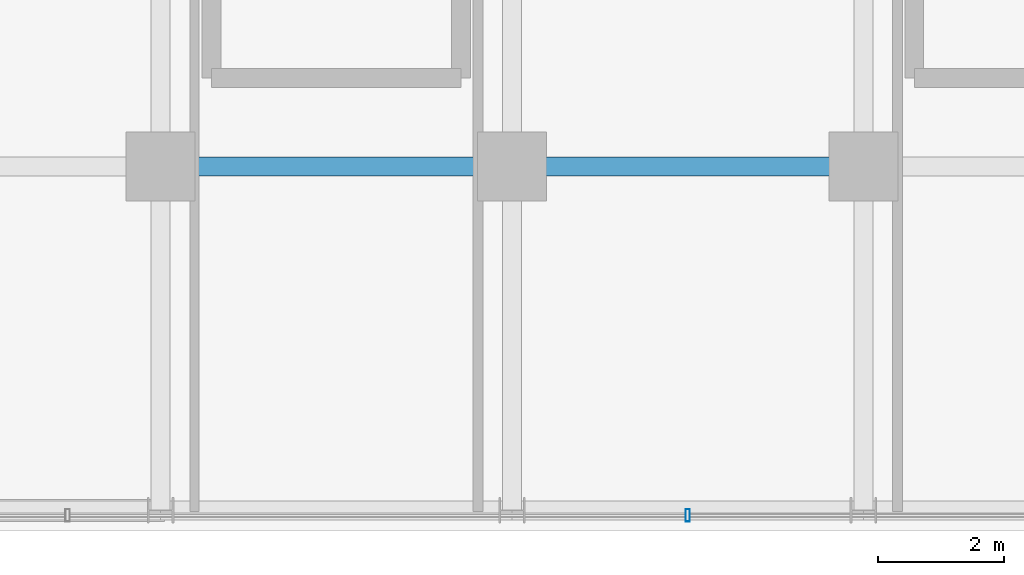
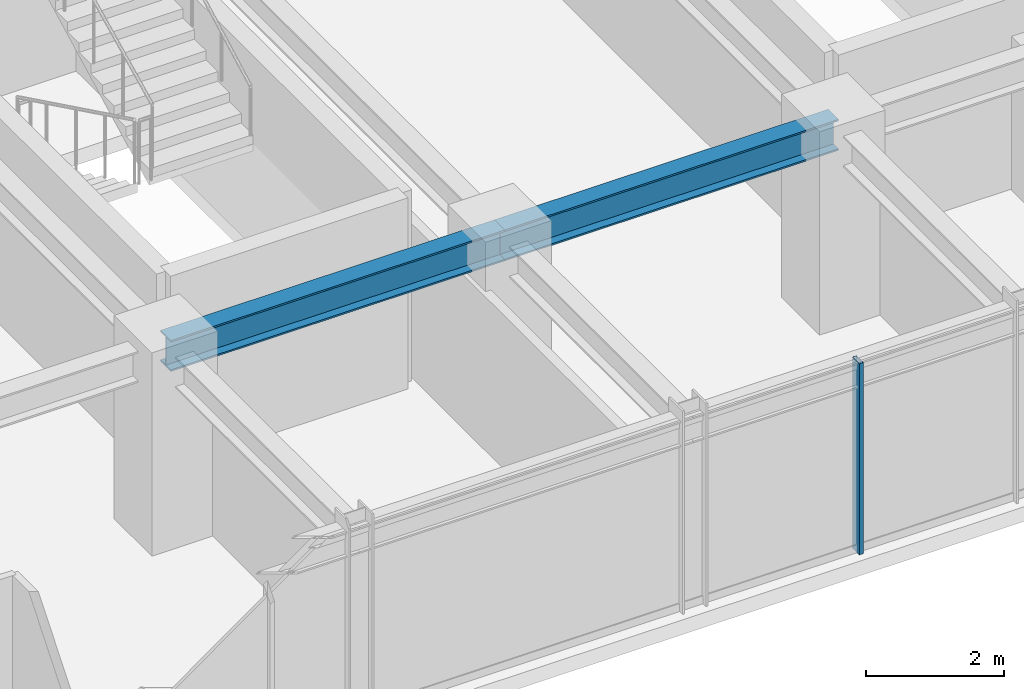
# One storey, part 6 of 41: 2 beams, 1 member, 1 element without a shape of its own.
"""IFC4 building model written with IfcOpenShell, lengths in metres."""

from ifc_helpers import new_model, si_unit, direction, frame, origin, origin_2d, place, context, subcontext, project, spatial, hollow_rectangle, i_section, extrude, source, transform, mapped, material, material_profile, profile_set, type_object, element, aggregate, save


model = new_model("IFC4")

# Units and contexts
model_context = context("Model", 3, precision=1e-05, world=origin(), true_north=direction((0.0, 1.0)))
body_context = subcontext(model_context, "Body", "Model", "MODEL_VIEW")
ifc_project = project(units=[si_unit("LENGTHUNIT", "METRE"), si_unit("AREAUNIT", "SQUARE_METRE"), si_unit("VOLUMEUNIT", "CUBIC_METRE"), si_unit("PLANEANGLEUNIT", "RADIAN"), si_unit("MASSUNIT", "GRAM", prefix="KILO")], contexts=[model_context])

# Site, building, storey
site_placement = place(None, origin())
site = spatial("IfcSite", under=ifc_project, at=site_placement, CompositionType="ELEMENT")
building_placement = place(site_placement, origin())
building = spatial("IfcBuilding", under=site, at=building_placement, Name="Nahalor Promenade Grand Hotel", CompositionType="ELEMENT")
storey_placement = place(building_placement, frame((0.0, 0.0, 159.949951171875)))
storey = spatial("IfcBuildingStorey", under=building, at=storey_placement, Name="L40", CompositionType="ELEMENT", Elevation=159.949951171875)

# Beams
ifc_material_1 = material(Name="Steel S355JR", Category="steel")
ifc_material_profile_1 = material_profile(ifc_material_1, i_section(OverallWidth=0.3, OverallDepth=0.55, WebThickness=0.015, FlangeThickness=0.029, at=origin_2d()), Name="HEB 550")
ifc_profile_set_1 = profile_set([ifc_material_profile_1], Name="Steel S355JR")
beam_type = type_object("IfcBeamType", Name="Beam-Girder-HEB550", PredefinedType="BEAM", material=ifc_profile_set_1)
shared_shape_1 = source(origin(), body_context, "Body", "SweptSolid", [
    extrude(i_section(OverallWidth=0.3, OverallDepth=0.55, WebThickness=0.015, FlangeThickness=0.029, at=origin_2d()), origin(), (0.0, 0.0, 1.0), 5.599853515625),
])
beam_1_placement = place(storey_placement, frame((-8.39990234375, -17.0, 3.114990234375), z_axis=(1.0, 0.0, 0.0), x_axis=(0.0, 1.0, 0.0)))
element("IfcBeam", 1, at=beam_1_placement, inside=storey, type_object=beam_type, Name="BM-L40-GX-0-2", PredefinedType="BEAM", context=body_context, shape_type="MappedRepresentation", body=[
    mapped(shared_shape_1, transform((0.0, 0.0, 0.0), scale=1.0)),
])
shared_shape_2 = source(origin(), body_context, "Body", "SweptSolid", [
    extrude(i_section(OverallWidth=0.3, OverallDepth=0.55, WebThickness=0.015, FlangeThickness=0.029, at=origin_2d()), origin(), (0.0, 0.0, 1.0), 5.60009765625),
])
beam_2_placement = place(storey_placement, frame((-2.800048828125, -17.0, 3.114990234375), z_axis=(1.0, 0.0, 0.0), x_axis=(0.0, 1.0, 0.0)))
element("IfcBeam", 2, at=beam_2_placement, inside=storey, type_object=beam_type, Name="BM-L40-GX-0-3", PredefinedType="BEAM", context=body_context, shape_type="MappedRepresentation", body=[
    mapped(shared_shape_2, transform((0.0, 0.0, 0.0), scale=1.0)),
])

# Curtain wall, member
ifc_material_2 = material(Name="Anodised Bronze Aluminium EN AW-6063 T6", Category="aluminium")
curtain_wall_type = type_object("IfcCurtainWallType", Name="CW3 Elliptical-Void Collar Unitised Curtain Wall", PredefinedType="USERDEFINED", material=ifc_material_2)
curtain_wall_placement = place(storey_placement, origin())
curtain_wall = element("IfcCurtainWall", 3, at=curtain_wall_placement, inside=storey, type_object=curtain_wall_type, Name="L40 Curtain Wall CW-L40-S-1", ObjectType="UNITISED_CURTAIN_WALL", PredefinedType="USERDEFINED")
ifc_material_profile_2 = material_profile(ifc_material_2, hollow_rectangle(XDim=0.07, YDim=0.2, WallThickness=0.005, at=origin_2d()), Name="CWM 70x200x5")
ifc_profile_set_2 = profile_set([ifc_material_profile_2], Name="Anodised Bronze Aluminium EN AW-6063 T6")
member_type = type_object("IfcMemberType", Name="CWM3 Void Collar Mullion 70x200", PredefinedType="MULLION", material=ifc_profile_set_2)
shared_shape_3 = source(origin(), body_context, "Body", "SweptSolid", [
    extrude(hollow_rectangle(XDim=0.07, YDim=0.2, WallThickness=0.005, at=origin_2d()), origin(), (0.0, 0.0, 1.0), 3.39013671875),
])
member_placement = place(storey_placement, frame((0.0, -22.56005859375, 0.0), z_axis=(0.0, 0.0, 1.0), x_axis=(1.0, 0.0, 0.0)))
member = element("IfcMember", 4, at=member_placement, type_object=member_type, Name="CW-L40-S-1 Mullion 2", PredefinedType="MULLION", context=body_context, shape_type="MappedRepresentation", body=[
    mapped(shared_shape_3, transform((0.0, 0.0, 0.0), scale=1.0)),
])
aggregate(curtain_wall, [member])

save(model, "model.ifc")
